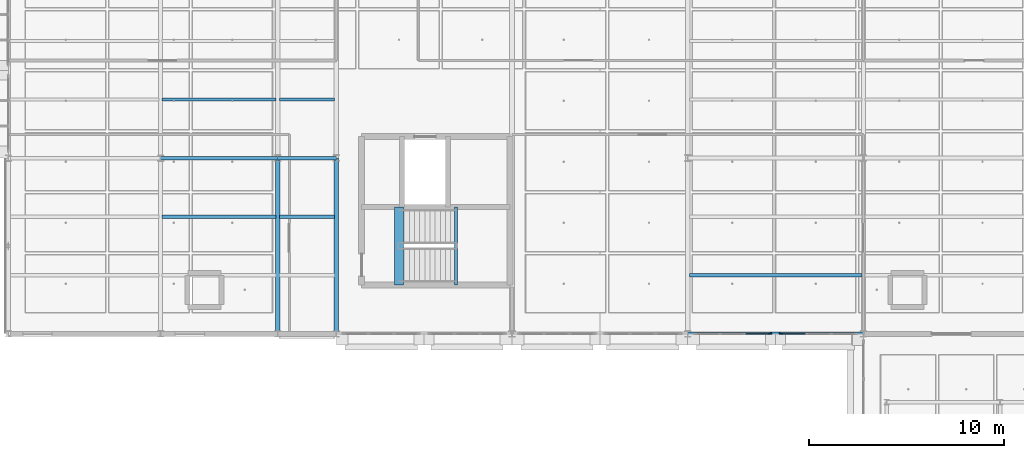
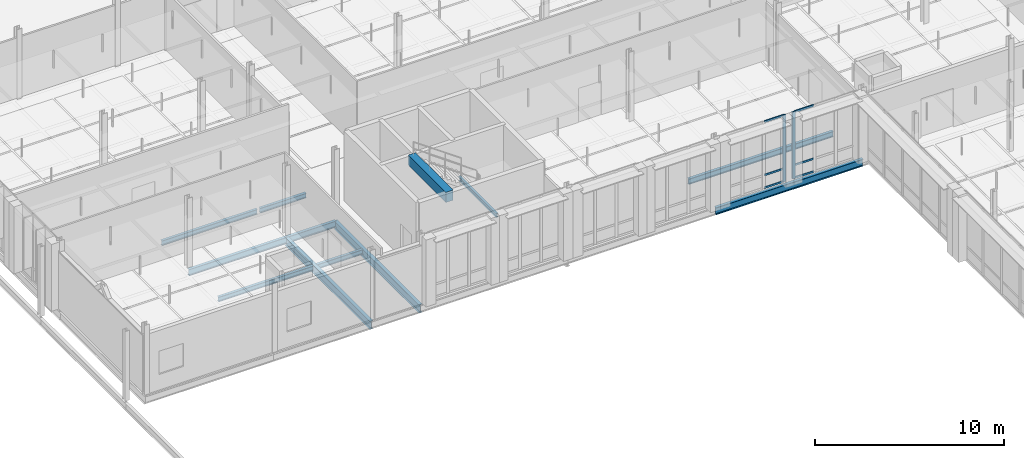
# One storey, part 37 of 130: 12 beams, 8 members, 2 elements without a shape of their own.
"""IFC4 building model written with IfcOpenShell, lengths in metres."""

from ifc_helpers import new_model, si_unit, direction, frame, origin, origin_2d, place, context, subcontext, project, spatial, rectangle, i_section, extrude, material, material_profile, profile_set, type_object, element, aggregate, save


model = new_model("IFC4")

# Units and contexts
model_context = context("Model", 3, precision=1e-05, world=origin(), true_north=direction((0.0, 1.0)))
body_context = subcontext(model_context, "Body", "Model", "MODEL_VIEW")
ifc_project = project(units=[si_unit("LENGTHUNIT", "METRE"), si_unit("AREAUNIT", "SQUARE_METRE"), si_unit("VOLUMEUNIT", "CUBIC_METRE"), si_unit("PLANEANGLEUNIT", "RADIAN"), si_unit("MASSUNIT", "GRAM", prefix="KILO"), si_unit("THERMODYNAMICTEMPERATUREUNIT", "KELVIN"), si_unit("POWERUNIT", "WATT")], contexts=[model_context])

# Site, building, storey
site_placement = place(None, origin())
site = spatial("IfcSite", under=ifc_project, at=site_placement, CompositionType="ELEMENT")
building_placement = place(site_placement, origin())
building = spatial("IfcBuilding", under=site, at=building_placement, Name="Tallowbark Science Centre", CompositionType="ELEMENT")
storey_placement = place(building_placement, frame((0.0, 0.0, 5.39990234375)))
storey = spatial("IfcBuildingStorey", under=building, at=storey_placement, Name="L01", CompositionType="ELEMENT", Elevation=5.39990234375)

# Beams
ifc_material_1 = material(Name="Concrete Grade N40 (40 MPa)", Category="concrete")
ifc_material_profile_1 = material_profile(ifc_material_1, rectangle(XDim=0.449951171875, YDim=0.64990234375, at=origin_2d()), Name="RC450x650")
ifc_profile_set_1 = profile_set([ifc_material_profile_1], Name="Concrete Grade N40 (40 MPa)")
beam_type_1 = type_object("IfcBeamType", Name="BM-GB2-N40", PredefinedType="BEAM", material=ifc_profile_set_1)
beam_1_placement = place(storey_placement, frame((75.2099609375, 74.5, 4.175048828125), z_axis=(0.0, 1.0, 0.0), x_axis=(-1.0, 0.0, 0.0)))
element("IfcBeam", 1, at=beam_1_placement, inside=storey, type_object=beam_type_1, Name="Stair ST-01 Landing Nosing Beam L01", PredefinedType="BEAM", context=body_context, shape_type="SweptSolid", body=[
    extrude(rectangle(XDim=0.449951171875, YDim=0.64990234375, at=origin_2d()), origin(), (0.0, 0.0, 1.0), 3.9951171875),
])
ifc_material_2 = material(Name="Structural Steel Grade 300PLUS (300 MPa)", Category="steel")
ifc_material_profile_2 = material_profile(ifc_material_2, i_section(OverallWidth=0.177734375, OverallDepth=0.406494140625, WebThickness=0.0078125, FlangeThickness=0.0126953125, FilletRadius=0.011474609375, at=origin_2d()), Name="410UB59.7")
ifc_profile_set_2 = profile_set([ifc_material_profile_2], Name="Structural Steel Grade 300PLUS (300 MPa)")
beam_type_2 = type_object("IfcBeamType", Name="BM-UB410", PredefinedType="BEAM", material=ifc_profile_set_2)
beam_2_placement = place(storey_placement, frame((63.0, 81.0, -0.383056640625), z_axis=(1.0, 0.0, 0.0), x_axis=(0.0, 1.0, 0.0)))
element("IfcBeam", 2, at=beam_2_placement, inside=storey, type_object=beam_type_2, Name="Primary Girder GRDX-L01-630-690-810", PredefinedType="BEAM", context=body_context, shape_type="SweptSolid", body=[
    extrude(i_section(OverallWidth=0.177734375, OverallDepth=0.406494140625, WebThickness=0.0078125, FlangeThickness=0.0126953125, FilletRadius=0.011474609375, at=origin_2d()), origin(), (0.0, 0.0, 1.0), 6.0),
])
beam_3_placement = place(storey_placement, frame((69.0, 81.0, -0.383056640625), z_axis=(1.0, 0.0, 0.0), x_axis=(0.0, 1.0, 0.0)))
element("IfcBeam", 3, at=beam_3_placement, inside=storey, type_object=beam_type_2, Name="Primary Girder GRDX-L01-690-720-810", PredefinedType="BEAM", context=body_context, shape_type="SweptSolid", body=[
    extrude(i_section(OverallWidth=0.177734375, OverallDepth=0.406494140625, WebThickness=0.0078125, FlangeThickness=0.0126953125, FilletRadius=0.011474609375, at=origin_2d()), origin(), (0.0, 0.0, 1.0), 3.0),
])
ifc_material_profile_3 = material_profile(ifc_material_2, i_section(OverallWidth=0.208740234375, OverallDepth=0.5283203125, WebThickness=0.009521484375, FlangeThickness=0.01318359375, FilletRadius=0.013916015625, at=origin_2d()), Name="530UB82.0")
ifc_profile_set_3 = profile_set([ifc_material_profile_3], Name="Structural Steel Grade 300PLUS (300 MPa)")
beam_type_3 = type_object("IfcBeamType", Name="BM-UB530B", PredefinedType="BEAM", material=ifc_profile_set_3)
for number, where, z_axis, x_axis, name in (
    (4, (69.0, 72.0, -0.444091796875), (0.0, 1.0, 0.0), (-1.0, 0.0, 0.0), "Primary Girder GRDY-L01-690-720-810"),
    (5, (72.0, 72.0, -0.444091796875), (0.0, 1.0, 0.0), (-1.0, 0.0, 0.0), "Primary Girder GRDY-L01-720-720-810"),
):
    element("IfcBeam", number, at=place(storey_placement, frame(where, z_axis=z_axis, x_axis=x_axis)), inside=storey, type_object=beam_type_3, Name=name, PredefinedType="BEAM", context=body_context, shape_type="SweptSolid", body=[
        extrude(i_section(OverallWidth=0.208740234375, OverallDepth=0.5283203125, WebThickness=0.009521484375, FlangeThickness=0.01318359375, FilletRadius=0.013916015625, at=origin_2d()), origin(), (0.0, 0.0, 1.0), 9.0),
    ])

# Curtain wall, member
ifc_material_3 = material(Name="Unitised Thermally Broken Aluminium and Low-E Double Glazing", Category="aluminium")
curtain_wall_type = type_object("IfcCurtainWallType", Name="CW-SYS-FACADE", PredefinedType="NOTDEFINED", material=ifc_material_3)
curtain_wall_1_placement = place(storey_placement, origin())
curtain_wall_1 = element("IfcCurtainWall", 6, at=curtain_wall_1_placement, inside=storey, type_object=curtain_wall_type, Name="Unitised Curtain Wall LAB-S-90A CW-L01-043", PredefinedType="NOTDEFINED")
ifc_material_4 = material(Name="Anodised Architectural Aluminium Alloy 6063-T6", Category="aluminium")
ifc_material_profile_4 = material_profile(ifc_material_4, rectangle(XDim=0.06494140625, YDim=0.179931640625, at=origin_2d()), Name="ALU65x180")
ifc_profile_set_4 = profile_set([ifc_material_profile_4], Name="Anodised Architectural Aluminium Alloy 6063-T6")
member_type_1 = type_object("IfcMemberType", Name="CWM-MUL-220", PredefinedType="MULLION", material=ifc_profile_set_4)
member_1_placement = place(storey_placement, frame((94.217529296875, 72.0, 0.0), z_axis=(0.0, 0.0, 1.0), x_axis=(0.0, 1.0, 0.0)))
member_1 = element("IfcMember", 7, at=member_1_placement, type_object=member_type_1, Name="CW-01 mullion 4", PredefinedType="MULLION", context=body_context, shape_type="SweptSolid", body=[
    extrude(rectangle(XDim=0.06494140625, YDim=0.179931640625, at=origin_2d()), origin(), (0.0, 0.0, 1.0), 4.320068359375),
])

curtain_wall_2_placement = place(storey_placement, origin())
curtain_wall_2 = element("IfcCurtainWall", 8, at=curtain_wall_2_placement, inside=storey, type_object=curtain_wall_type, Name="Unitised Curtain Wall LAB-S-90B CW-L01-044", PredefinedType="NOTDEFINED")
member_2_placement = place(storey_placement, frame((94.782470703125, 72.0, 0.0), z_axis=(0.0, 0.0, 1.0), x_axis=(0.0, 1.0, 0.0)))
member_2 = element("IfcMember", 9, at=member_2_placement, type_object=member_type_1, Name="CW-01 mullion 1", PredefinedType="MULLION", context=body_context, shape_type="SweptSolid", body=[
    extrude(rectangle(XDim=0.06494140625, YDim=0.179931640625, at=origin_2d()), origin(), (0.0, 0.0, 1.0), 4.320068359375),
])

# Member
ifc_material_profile_5 = material_profile(ifc_material_4, rectangle(XDim=0.054931640625, YDim=0.1201171875, at=origin_2d()), Name="ALU55x120")
ifc_profile_set_5 = profile_set([ifc_material_profile_5], Name="Anodised Architectural Aluminium Alloy 6063-T6")
member_type_2 = type_object("IfcMemberType", Name="CWM-TRN-150", PredefinedType="USERDEFINED", material=ifc_profile_set_5)
member_3_placement = place(storey_placement, frame((92.982421875, 72.0, 0.027587890625), z_axis=(1.0, 0.0, 0.0), x_axis=(0.0, 1.0, 0.0)))
member_3 = element("IfcMember", 10, at=member_3_placement, type_object=member_type_2, Name="CW-01 transom 3.1", ObjectType="TRANSOM", PredefinedType="USERDEFINED", context=body_context, shape_type="SweptSolid", body=[
    extrude(rectangle(XDim=0.054931640625, YDim=0.1201171875, at=origin_2d()), origin(), (0.0, 0.0, 1.0), 1.20263671875),
])

member_4_placement = place(storey_placement, frame((92.982421875, 72.0, 0.85009765625), z_axis=(1.0, 0.0, 0.0), x_axis=(0.0, 1.0, 0.0)))
member_4 = element("IfcMember", 11, at=member_4_placement, type_object=member_type_2, Name="CW-01 transom 3.2", ObjectType="TRANSOM", PredefinedType="USERDEFINED", context=body_context, shape_type="SweptSolid", body=[
    extrude(rectangle(XDim=0.054931640625, YDim=0.1201171875, at=origin_2d()), origin(), (0.0, 0.0, 1.0), 1.20263671875),
])

member_5_placement = place(storey_placement, frame((92.982421875, 72.0, 4.29248046875), z_axis=(1.0, 0.0, 0.0), x_axis=(0.0, 1.0, 0.0)))
member_5 = element("IfcMember", 12, at=member_5_placement, type_object=member_type_2, Name="CW-01 transom 3.3", ObjectType="TRANSOM", PredefinedType="USERDEFINED", context=body_context, shape_type="SweptSolid", body=[
    extrude(rectangle(XDim=0.054931640625, YDim=0.1201171875, at=origin_2d()), origin(), (0.0, 0.0, 1.0), 1.20263671875),
])

aggregate(curtain_wall_1, [member_1, member_3, member_4, member_5])

member_6_placement = place(storey_placement, frame((94.81494140625, 72.0, 0.027587890625), z_axis=(1.0, 0.0, 0.0), x_axis=(0.0, 1.0, 0.0)))
member_6 = element("IfcMember", 13, at=member_6_placement, type_object=member_type_2, Name="CW-01 transom 1.1", ObjectType="TRANSOM", PredefinedType="USERDEFINED", context=body_context, shape_type="SweptSolid", body=[
    extrude(rectangle(XDim=0.054931640625, YDim=0.1201171875, at=origin_2d()), origin(), (0.0, 0.0, 1.0), 1.20263671875),
])

member_7_placement = place(storey_placement, frame((94.81494140625, 72.0, 0.85009765625), z_axis=(1.0, 0.0, 0.0), x_axis=(0.0, 1.0, 0.0)))
member_7 = element("IfcMember", 14, at=member_7_placement, type_object=member_type_2, Name="CW-01 transom 1.2", ObjectType="TRANSOM", PredefinedType="USERDEFINED", context=body_context, shape_type="SweptSolid", body=[
    extrude(rectangle(XDim=0.054931640625, YDim=0.1201171875, at=origin_2d()), origin(), (0.0, 0.0, 1.0), 1.20263671875),
])

member_8_placement = place(storey_placement, frame((94.81494140625, 72.0, 4.29248046875), z_axis=(1.0, 0.0, 0.0), x_axis=(0.0, 1.0, 0.0)))
member_8 = element("IfcMember", 15, at=member_8_placement, type_object=member_type_2, Name="CW-01 transom 1.3", ObjectType="TRANSOM", PredefinedType="USERDEFINED", context=body_context, shape_type="SweptSolid", body=[
    extrude(rectangle(XDim=0.054931640625, YDim=0.1201171875, at=origin_2d()), origin(), (0.0, 0.0, 1.0), 1.20263671875),
])

aggregate(curtain_wall_2, [member_2, member_6, member_7, member_8])

# Beams
ifc_material_profile_6 = material_profile(ifc_material_2, i_section(OverallWidth=0.146484375, OverallDepth=0.256103515625, WebThickness=0.00634765625, FlangeThickness=0.010986328125, FilletRadius=0.0087890625, at=origin_2d()), Name="250UB37.3")
ifc_profile_set_6 = profile_set([ifc_material_profile_6], Name="Structural Steel Grade 300PLUS (300 MPa)")
beam_type_4 = type_object("IfcBeamType", Name="JST-UB250", PredefinedType="JOIST", material=ifc_profile_set_6)
beam_4_placement = place(storey_placement, frame((78.125, 74.5, 1.922119140625), z_axis=(0.0, 1.0, 0.0), x_axis=(-1.0, 0.0, 0.0)))
element("IfcBeam", 16, at=beam_4_placement, inside=storey, type_object=beam_type_4, Name="Stair ST-01 Half-Landing Trimmer L01", PredefinedType="JOIST", context=body_context, shape_type="SweptSolid", body=[
    extrude(i_section(OverallWidth=0.146484375, OverallDepth=0.256103515625, WebThickness=0.00634765625, FlangeThickness=0.010986328125, FilletRadius=0.0087890625, at=origin_2d()), origin(), (0.0, 0.0, 1.0), 3.9951171875),
])
ifc_material_profile_7 = material_profile(ifc_material_2, i_section(OverallWidth=0.166015625, OverallDepth=0.30712890625, WebThickness=0.006591796875, FlangeThickness=0.01171875, FilletRadius=0.011474609375, at=origin_2d()), Name="310UB46.2")
ifc_profile_set_7 = profile_set([ifc_material_profile_7], Name="Structural Steel Grade 300PLUS (300 MPa)")
beam_type_5 = type_object("IfcBeamType", Name="JST-UB310", PredefinedType="JOIST", material=ifc_profile_set_7)
beam_5_placement = place(storey_placement, frame((63.0849609375, 78.0, -0.33349609375), z_axis=(1.0, 0.0, 0.0), x_axis=(0.0, 1.0, 0.0)))
element("IfcBeam", 17, at=beam_5_placement, inside=storey, type_object=beam_type_5, Name="Composite Floor Joist JSTX-L01-630-780", PredefinedType="JOIST", context=body_context, shape_type="SweptSolid", body=[
    extrude(i_section(OverallWidth=0.166015625, OverallDepth=0.30712890625, WebThickness=0.006591796875, FlangeThickness=0.01171875, FilletRadius=0.011474609375, at=origin_2d()), origin(), (0.0, 0.0, 1.0), 5.830078125),
])
beam_6_placement = place(storey_placement, frame((69.0849609375, 78.0, -0.33349609375), z_axis=(1.0, 0.0, 0.0), x_axis=(0.0, 1.0, 0.0)))
element("IfcBeam", 18, at=beam_6_placement, inside=storey, type_object=beam_type_5, Name="Composite Floor Joist JSTX-L01-690-780", PredefinedType="JOIST", context=body_context, shape_type="SweptSolid", body=[
    extrude(i_section(OverallWidth=0.166015625, OverallDepth=0.30712890625, WebThickness=0.006591796875, FlangeThickness=0.01171875, FilletRadius=0.011474609375, at=origin_2d()), origin(), (0.0, 0.0, 1.0), 2.830078125),
])
beam_7_placement = place(storey_placement, frame((63.0849609375, 84.0, -0.33349609375), z_axis=(1.0, 0.0, 0.0), x_axis=(0.0, 1.0, 0.0)))
element("IfcBeam", 19, at=beam_7_placement, inside=storey, type_object=beam_type_5, Name="Composite Floor Joist JSTX-L01-630-840", PredefinedType="JOIST", context=body_context, shape_type="SweptSolid", body=[
    extrude(i_section(OverallWidth=0.166015625, OverallDepth=0.30712890625, WebThickness=0.006591796875, FlangeThickness=0.01171875, FilletRadius=0.011474609375, at=origin_2d()), origin(), (0.0, 0.0, 1.0), 5.830078125),
])
beam_8_placement = place(storey_placement, frame((69.0849609375, 84.0, -0.33349609375), z_axis=(1.0, 0.0, 0.0), x_axis=(0.0, 1.0, 0.0)))
element("IfcBeam", 20, at=beam_8_placement, inside=storey, type_object=beam_type_5, Name="Composite Floor Joist JSTX-L01-690-840", PredefinedType="JOIST", context=body_context, shape_type="SweptSolid", body=[
    extrude(i_section(OverallWidth=0.166015625, OverallDepth=0.30712890625, WebThickness=0.006591796875, FlangeThickness=0.01171875, FilletRadius=0.011474609375, at=origin_2d()), origin(), (0.0, 0.0, 1.0), 2.830078125),
])
ifc_material_profile_8 = material_profile(ifc_material_2, i_section(OverallWidth=0.172119140625, OverallDepth=0.358642578125, WebThickness=0.008056640625, FlangeThickness=0.012939453125, FilletRadius=0.011474609375, at=origin_2d()), Name="360UB56.7")
ifc_profile_set_8 = profile_set([ifc_material_profile_8], Name="Structural Steel Grade 300PLUS (300 MPa)")
beam_type_6 = type_object("IfcBeamType", Name="JST-UB360", PredefinedType="JOIST", material=ifc_profile_set_8)
beam_9_placement = place(storey_placement, frame((90.0849609375, 75.0, -0.359130859375), z_axis=(1.0, 0.0, 0.0), x_axis=(0.0, 1.0, 0.0)))
element("IfcBeam", 21, at=beam_9_placement, inside=storey, type_object=beam_type_6, Name="Composite Floor Joist JSTX-L01-900-750", PredefinedType="JOIST", context=body_context, shape_type="SweptSolid", body=[
    extrude(i_section(OverallWidth=0.172119140625, OverallDepth=0.358642578125, WebThickness=0.008056640625, FlangeThickness=0.012939453125, FilletRadius=0.011474609375, at=origin_2d()), origin(), (0.0, 0.0, 1.0), 8.830078125),
])
ifc_material_profile_9 = material_profile(ifc_material_2, i_section(OverallWidth=0.18994140625, OverallDepth=0.453857421875, WebThickness=0.008544921875, FlangeThickness=0.0126953125, FilletRadius=0.011474609375, at=origin_2d()), Name="460UB67.1")
ifc_profile_set_9 = profile_set([ifc_material_profile_9], Name="Structural Steel Grade 300PLUS (300 MPa)")
beam_type_7 = type_object("IfcBeamType", Name="SPN-UB460", PredefinedType="SPANDREL", material=ifc_profile_set_9)
beam_10_placement = place(storey_placement, frame((90.0, 72.0, -0.40673828125), z_axis=(1.0, 0.0, 0.0), x_axis=(0.0, 1.0, 0.0)))
element("IfcBeam", 22, at=beam_10_placement, inside=storey, type_object=beam_type_7, Name="Primary Girder GRDX-L01-900-990-720", PredefinedType="SPANDREL", context=body_context, shape_type="SweptSolid", body=[
    extrude(i_section(OverallWidth=0.18994140625, OverallDepth=0.453857421875, WebThickness=0.008544921875, FlangeThickness=0.0126953125, FilletRadius=0.011474609375, at=origin_2d()), origin(), (0.0, 0.0, 1.0), 9.0),
])

save(model, "model.ifc")
